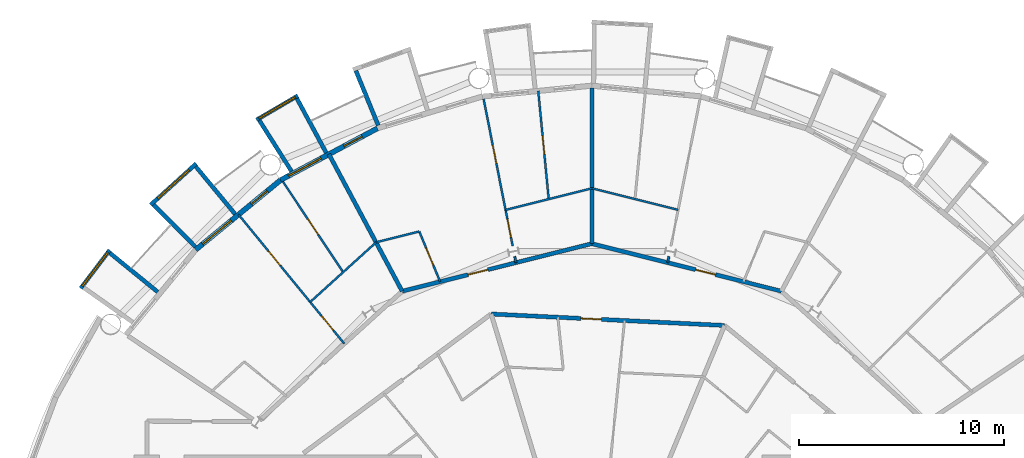
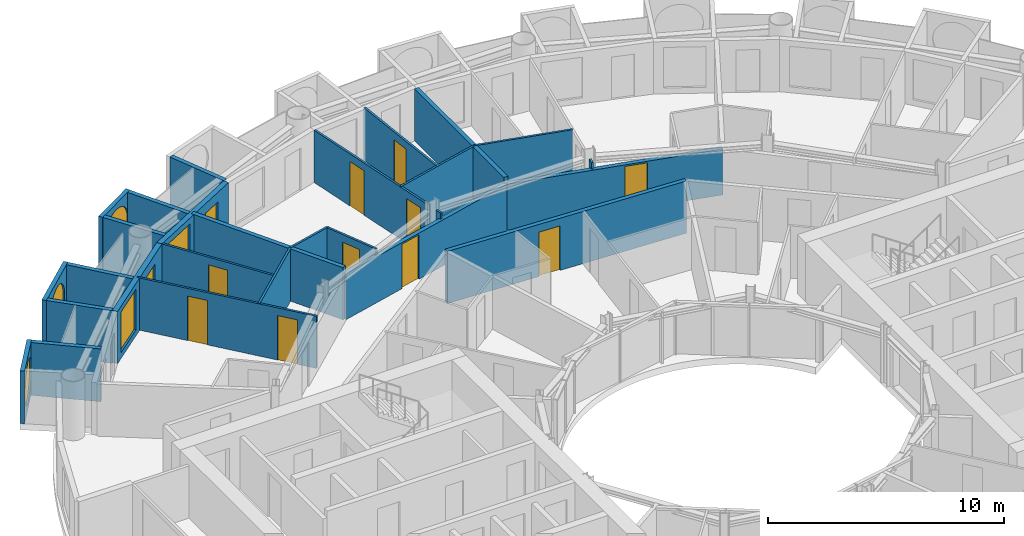
# One storey, part 19 of 26: 27 walls, 12 doors, 5 windows, 17 openings.
"""IFC4 building model written with IfcOpenShell, lengths in metres."""

from ifc_helpers import new_model, si_unit, direction, frame, frame_2d, origin, place, context, subcontext, project, spatial, rectangle, circle, extrude, material, layer, layer_set, type_object, element, fill, save


model = new_model("IFC4")

# Units and contexts
model_context = context("Model", 3, precision=1e-05, world=origin(), true_north=direction((0.0, 1.0)))
body_context = subcontext(model_context, "Body", "Model", "MODEL_VIEW")
ifc_project = project(units=[si_unit("LENGTHUNIT", "METRE"), si_unit("AREAUNIT", "SQUARE_METRE"), si_unit("VOLUMEUNIT", "CUBIC_METRE"), si_unit("PLANEANGLEUNIT", "RADIAN"), si_unit("MASSUNIT", "GRAM", prefix="KILO")], contexts=[model_context])

# Site, building, storey
site_placement = place(None, origin())
site = spatial("IfcSite", under=ifc_project, at=site_placement, CompositionType="ELEMENT")
building_placement = place(site_placement, origin())
building = spatial("IfcBuilding", under=site, at=building_placement, Name="Maasbend Ring Residences", CompositionType="ELEMENT")
storey_placement = place(building_placement, frame((0.0, 0.0, 81.89990234375)))
storey = spatial("IfcBuildingStorey", under=building, at=storey_placement, Name="L23", CompositionType="ELEMENT", Elevation=81.89990234375)

# Wall, opening, door
ifc_material_1 = material(Name="Concrete C30/37", Category="concrete")
ifc_layer_1 = layer(ifc_material_1, 0.199951171875)
ifc_layer_set_1 = layer_set([ifc_layer_1], Name="Concrete C30/37")
wall_type_1 = type_object("IfcWallType", Name="CORRIDOR WALL 200 CONCRETE", PredefinedType="PARTITIONING", material=ifc_layer_set_1)
wall_1_placement = place(storey_placement, frame((-4.903076171875, 16.172119140625, 0.0), z_axis=(0.0, 0.0, 1.0), x_axis=(0.998797695979, -0.049022061427, 0.0)))
wall_1 = element("IfcWall", 1, at=wall_1_placement, inside=storey, type_object=wall_type_1, Name="U-L23-w093", PredefinedType="PARTITIONING", context=body_context, shape_type="SweptSolid", body=[
    extrude(rectangle(XDim=11.384765625, YDim=0.199951171875, at=frame_2d((5.6923828125, 0.0))), origin(), (0.0, 0.0, 1.0), 2.7001953125),
])
opening_1_placement = place(wall_1_placement, frame((4.3759765625, 0.0, 0.0)))
opening_1 = element("IfcOpeningElement", 2, at=opening_1_placement, cuts=wall_1, Name="Opening D-2325", PredefinedType="OPENING", context=body_context, shape_type="SweptSolid", body=[
    extrude(rectangle(XDim=1.0, YDim=2.300048828125, at=frame_2d((0.5, 1.14990234375))), frame((0.0, 0.10986328125, 0.0), z_axis=(0.0, -1.0, 0.0), x_axis=(1.0, 0.0, 0.0)), (0.0, 0.0, 1.0), 0.219970703125),
])
ifc_material_2 = material(Name="Timber, fire-rated, painted", Category="wood")
door_type_1 = type_object("IfcDoorType", Name="FLAT ENTRANCE DOOR 1000 X 2300 FIRE-RATED", OperationType="NOTDEFINED", PredefinedType="DOOR", material=ifc_material_2)
door_1_placement = place(opening_1_placement, origin())
door_1 = element("IfcDoor", 3, at=door_1_placement, inside=storey, type_object=door_type_1, Name="D-2325", OperationType="SINGLE_SWING_LEFT", OverallHeight=2.300048828125, OverallWidth=1.0, PredefinedType="DOOR", context=body_context, shape_type="SweptSolid", body=[
    extrude(rectangle(XDim=1.0, YDim=2.300048828125, at=frame_2d((0.5, 1.14990234375))), frame((0.0, 0.02490234375, 0.0), z_axis=(0.0, -1.0, 0.0), x_axis=(1.0, 0.0, 0.0)), (0.0, 0.0, 1.0), 0.050048828125),
])
fill(opening_1, door_1)

wall_2_placement = place(storey_placement, frame((-9.239013671875, 17.284912109375, 0.0), z_axis=(0.0, 0.0, 1.0), x_axis=(0.970008158324, 0.243072361213, 0.0)))
wall_2 = element("IfcWall", 4, at=wall_2_placement, inside=storey, type_object=wall_type_1, Name="U-L23-w096", PredefinedType="PARTITIONING", context=body_context, shape_type="SweptSolid", body=[
    extrude(rectangle(XDim=9.524658203125, YDim=0.199951171875, at=frame_2d((4.76220703125, 0.0))), origin(), (0.0, 0.0, 1.0), 2.380126953125),
])
opening_2_placement = place(wall_2_placement, frame((3.304931640625, 0.0, 0.0)))
opening_2 = element("IfcOpeningElement", 5, at=opening_2_placement, cuts=wall_2, Name="Opening D-2311", PredefinedType="OPENING", context=body_context, shape_type="SweptSolid", body=[
    extrude(rectangle(XDim=1.0, YDim=2.300048828125, at=frame_2d((0.5, 1.14990234375))), frame((0.0, 0.10986328125, 0.0), z_axis=(0.0, -1.0, 0.0), x_axis=(1.0, 0.0, 0.0)), (0.0, 0.0, 1.0), 0.219970703125),
])
door_2_placement = place(opening_2_placement, origin())
door_2 = element("IfcDoor", 6, at=door_2_placement, inside=storey, type_object=door_type_1, Name="D-2311", OperationType="SINGLE_SWING_LEFT", OverallHeight=2.300048828125, OverallWidth=1.0, PredefinedType="DOOR", context=body_context, shape_type="SweptSolid", body=[
    extrude(rectangle(XDim=1.0, YDim=2.300048828125, at=frame_2d((0.5, 1.14990234375))), frame((0.0, 0.02490234375, 0.0), z_axis=(0.0, -1.0, 0.0), x_axis=(1.0, 0.0, 0.0)), (0.0, 0.0, 1.0), 0.050048828125),
])
fill(opening_2, door_2)

wall_3_placement = place(storey_placement, frame((0.0, 19.60009765625, 0.0), z_axis=(0.0, 0.0, 1.0), x_axis=(0.970008158324, -0.243072361213, 0.0)))
wall_3 = element("IfcWall", 7, at=wall_3_placement, inside=storey, type_object=wall_type_1, Name="U-L23-w097", PredefinedType="PARTITIONING", context=body_context, shape_type="SweptSolid", body=[
    extrude(rectangle(XDim=9.524658203125, YDim=0.199951171875, at=frame_2d((4.76220703125, 0.0))), origin(), (0.0, 0.0, 1.0), 2.380126953125),
])
opening_3_placement = place(wall_3_placement, frame((5.212890625, 0.0, 0.0)))
opening_3 = element("IfcOpeningElement", 8, at=opening_3_placement, cuts=wall_3, Name="Opening D-2306", PredefinedType="OPENING", context=body_context, shape_type="SweptSolid", body=[
    extrude(rectangle(XDim=1.0, YDim=2.300048828125, at=frame_2d((0.5, 1.14990234375))), frame((0.0, 0.10986328125, 0.0), z_axis=(0.0, -1.0, 0.0), x_axis=(1.0, 0.0, 0.0)), (0.0, 0.0, 1.0), 0.219970703125),
])
door_3_placement = place(opening_3_placement, origin())
door_3 = element("IfcDoor", 9, at=door_3_placement, inside=storey, type_object=door_type_1, Name="D-2306", OperationType="SINGLE_SWING_RIGHT", OverallHeight=2.300048828125, OverallWidth=1.0, PredefinedType="DOOR", context=body_context, shape_type="SweptSolid", body=[
    extrude(rectangle(XDim=1.0, YDim=2.300048828125, at=frame_2d((0.5, 1.14990234375))), frame((0.0, 0.02490234375, 0.0), z_axis=(0.0, -1.0, 0.0), x_axis=(1.0, 0.0, 0.0)), (0.0, 0.0, 1.0), 0.050048828125),
])
fill(opening_3, door_3)

# Wall
ifc_material_3 = material(Name="Pale anodised aluminium panel", Category="aluminium")
ifc_layer_2 = layer(ifc_material_3, 0.199951171875)
ifc_layer_set_2 = layer_set([ifc_layer_2], Name="EW-BOX")
wall_type_2 = type_object("IfcWallType", Name="EW-BOX", PredefinedType="SOLIDWALL", material=ifc_layer_set_2)
wall_4_placement = place(storey_placement, frame((-10.408935546875, 25.364013671875, -0.02978515625), z_axis=(0.0, 0.0, 1.0), x_axis=(-0.379509886562, 0.925187681501, 0.0)))
element("IfcWall", 10, at=wall_4_placement, inside=storey, type_object=wall_type_2, Name="Box side wall N14 right", PredefinedType="SOLIDWALL", context=body_context, shape_type="SweptSolid", body=[
    extrude(rectangle(XDim=2.882568359375, YDim=0.199951171875, at=frame_2d((1.44140625, 0.0))), origin(), (0.0, 0.0, 1.0), 2.72998046875),
])

# Wall, opening, window
wall_5_placement = place(storey_placement, frame((-14.326904296875, 26.81201171875, -0.02978515625), z_axis=(0.0, 0.0, 1.0), x_axis=(-0.863346521872, -0.504611517081, 0.0)))
wall_5 = element("IfcWall", 11, at=wall_5_placement, inside=storey, type_object=wall_type_2, Name="Box front N16", PredefinedType="SOLIDWALL", context=body_context, shape_type="SweptSolid", body=[
    extrude(rectangle(XDim=2.33642578125, YDim=0.199951171875, at=frame_2d((1.168212890625, 0.0))), origin(), (0.0, 0.0, 1.0), 2.72998046875),
])
opening_4_placement = place(wall_5_placement, frame((0.128173828125, 0.0, 0.330078125)))
opening_4 = element("IfcOpeningElement", 12, at=opening_4_placement, cuts=wall_5, Name="Opening W-RD", PredefinedType="OPENING", context=body_context, shape_type="SweptSolid", body=[
    extrude(circle(Radius=1.0400390625, at=frame_2d((1.0400390625, 1.0400390625))), frame((0.0, 0.10986328125, 0.0), z_axis=(0.0, -1.0, 0.0), x_axis=(1.0, 0.0, 0.0)), (0.0, 0.0, 1.0), 0.219970703125),
])
ifc_material_4 = material(Name="Aluminium and clear glass", Category="aluminium")
window_type_1 = type_object("IfcWindowType", Name="W-RD", PartitioningType="SINGLE_PANEL", PredefinedType="WINDOW", material=ifc_material_4)
window_1_placement = place(opening_4_placement, origin())
window_1 = element("IfcWindow", 13, at=window_1_placement, inside=storey, type_object=window_type_1, Name="Round window N16", OverallHeight=2.080078125, OverallWidth=2.080078125, PartitioningType="SINGLE_PANEL", PredefinedType="WINDOW", context=body_context, shape_type="SweptSolid", body=[
    extrude(circle(Radius=1.0400390625, at=frame_2d((1.0400390625, 1.0400390625))), frame((0.0, 0.030029296875, 0.0), z_axis=(0.0, -1.0, 0.0), x_axis=(1.0, 0.0, 0.0)), (0.0, 0.0, 1.0), 0.06005859375),
])
fill(opening_4, window_1)

# Walls
wall_6_placement = place(storey_placement, frame((-12.945068359375, 24.029052734375, -0.02978515625), z_axis=(0.0, 0.0, 1.0), x_axis=(-0.474424310775, 0.88029629861, 0.0)))
element("IfcWall", 14, at=wall_6_placement, inside=storey, type_object=wall_type_2, Name="Box side wall N16 left", PredefinedType="SOLIDWALL", context=body_context, shape_type="SweptSolid", body=[
    extrude(rectangle(XDim=3.005859375, YDim=0.199951171875, at=frame_2d((1.5029296875, 0.0))), origin(), (0.0, 0.0, 1.0), 2.72998046875),
])
wall_7_placement = place(storey_placement, frame((-14.635009765625, 23.1259765625, -0.02978515625), z_axis=(0.0, 0.0, 1.0), x_axis=(-0.534437802731, 0.845207805816, 0.0)))
element("IfcWall", 15, at=wall_7_placement, inside=storey, type_object=wall_type_2, Name="Box side wall N16 right", PredefinedType="SOLIDWALL", context=body_context, shape_type="SweptSolid", body=[
    extrude(rectangle(XDim=2.931884765625, YDim=0.199951171875, at=frame_2d((1.4658203125, 0.0))), origin(), (0.0, 0.0, 1.0), 2.72998046875),
])

# Wall, opening, window
wall_8_placement = place(storey_placement, frame((-19.281982421875, 23.5029296875, -0.02978515625), z_axis=(0.0, 0.0, 1.0), x_axis=(-0.740998365753, -0.671506829416, 0.0)))
wall_8 = element("IfcWall", 16, at=wall_8_placement, inside=storey, type_object=wall_type_2, Name="Box front N18", PredefinedType="SOLIDWALL", context=body_context, shape_type="SweptSolid", body=[
    extrude(rectangle(XDim=2.9931640625, YDim=0.199951171875, at=frame_2d((1.49658203125, 0.0))), origin(), (0.0, 0.0, 1.0), 2.72998046875),
])
opening_5_placement = place(wall_8_placement, frame((0.45654296875, 0.0, 0.330078125)))
opening_5 = element("IfcOpeningElement", 17, at=opening_5_placement, cuts=wall_8, Name="Opening W-RD", PredefinedType="OPENING", context=body_context, shape_type="SweptSolid", body=[
    extrude(circle(Radius=1.0400390625, at=frame_2d((1.0400390625, 1.0400390625))), frame((0.0, 0.10986328125, 0.0), z_axis=(0.0, -1.0, 0.0), x_axis=(1.0, 0.0, 0.0)), (0.0, 0.0, 1.0), 0.219970703125),
])
window_2_placement = place(opening_5_placement, origin())
window_2 = element("IfcWindow", 18, at=window_2_placement, inside=storey, type_object=window_type_1, Name="Round window N18", OverallHeight=2.080078125, OverallWidth=2.080078125, PartitioningType="SINGLE_PANEL", PredefinedType="WINDOW", context=body_context, shape_type="SweptSolid", body=[
    extrude(circle(Radius=1.0400390625, at=frame_2d((1.0400390625, 1.0400390625))), frame((0.0, 0.030029296875, 0.0), z_axis=(0.0, -1.0, 0.0), x_axis=(1.0, 0.0, 0.0)), (0.0, 0.0, 1.0), 0.06005859375),
])
fill(opening_5, window_2)

# Walls
wall_9_placement = place(storey_placement, frame((-17.384033203125, 21.041015625, -0.02978515625), z_axis=(0.0, 0.0, 1.0), x_axis=(-0.63709551667, 0.770784861449, 0.0)))
element("IfcWall", 19, at=wall_9_placement, inside=storey, type_object=wall_type_2, Name="Box side wall N18 left", PredefinedType="SOLIDWALL", context=body_context, shape_type="SweptSolid", body=[
    extrude(rectangle(XDim=3.005859375, YDim=0.199951171875, at=frame_2d((1.5029296875, 0.0))), origin(), (0.0, 0.0, 1.0), 2.72998046875),
])
wall_10_placement = place(storey_placement, frame((-19.322998046875, 19.449951171875, -0.02978515625), z_axis=(0.0, 0.0, 1.0), x_axis=(-0.704476739375, 0.709727076896, 0.0)))
element("IfcWall", 20, at=wall_10_placement, inside=storey, type_object=wall_type_2, Name="Box side wall N18 right", PredefinedType="SOLIDWALL", context=body_context, shape_type="SweptSolid", body=[
    extrude(rectangle(XDim=2.883056640625, YDim=0.199951171875, at=frame_2d((1.44140625, 0.0))), origin(), (0.0, 0.0, 1.0), 2.72998046875),
])

# Wall, opening, window
wall_11_placement = place(storey_placement, frame((-23.4970703125, 19.2890625, -0.02978515625), z_axis=(0.0, 0.0, 1.0), x_axis=(-0.60418752353, -0.796842165306, 0.0)))
wall_11 = element("IfcWall", 21, at=wall_11_placement, inside=storey, type_object=wall_type_2, Name="Box front N20", PredefinedType="SOLIDWALL", context=body_context, shape_type="SweptSolid", body=[
    extrude(rectangle(XDim=2.3369140625, YDim=0.199951171875, at=frame_2d((1.16845703125, 0.0))), origin(), (0.0, 0.0, 1.0), 2.72998046875),
])
opening_6_placement = place(wall_11_placement, frame((0.128173828125, 0.0, 0.330078125)))
opening_6 = element("IfcOpeningElement", 22, at=opening_6_placement, cuts=wall_11, Name="Opening W-RD", PredefinedType="OPENING", context=body_context, shape_type="SweptSolid", body=[
    extrude(circle(Radius=1.0400390625, at=frame_2d((1.0400390625, 1.0400390625))), frame((0.0, 0.10986328125, 0.0), z_axis=(0.0, -1.0, 0.0), x_axis=(1.0, 0.0, 0.0)), (0.0, 0.0, 1.0), 0.219970703125),
])
window_3_placement = place(opening_6_placement, origin())
window_3 = element("IfcWindow", 23, at=window_3_placement, inside=storey, type_object=window_type_1, Name="Round window N20", OverallHeight=2.080078125, OverallWidth=2.080078125, PartitioningType="SINGLE_PANEL", PredefinedType="WINDOW", context=body_context, shape_type="SweptSolid", body=[
    extrude(circle(Radius=1.0400390625, at=frame_2d((1.0400390625, 1.0400390625))), frame((0.0, 0.030029296875, 0.0), z_axis=(0.0, -1.0, 0.0), x_axis=(1.0, 0.0, 0.0)), (0.0, 0.0, 1.0), 0.06005859375),
])
fill(opening_6, window_3)

# Wall
wall_12_placement = place(storey_placement, frame((-21.155029296875, 17.24609375, -0.02978515625), z_axis=(0.0, 0.0, 1.0), x_axis=(-0.775179004516, 0.631741648902, 0.0)))
element("IfcWall", 24, at=wall_12_placement, inside=storey, type_object=wall_type_2, Name="Box side wall N20 left", PredefinedType="SOLIDWALL", context=body_context, shape_type="SweptSolid", body=[
    extrude(rectangle(XDim=3.005859375, YDim=0.199951171875, at=frame_2d((1.5029296875, 0.0))), origin(), (0.0, 0.0, 1.0), 2.72998046875),
])

# Wall, openings, door, window
ifc_material_5 = material(Name="Aluminium clad insulated panel", Category="aluminium")
ifc_layer_3 = layer(ifc_material_5, 0.25)
ifc_layer_set_3 = layer_set([ifc_layer_3], Name="EW-GL")
wall_type_3 = type_object("IfcWallType", Name="EW-GL", PredefinedType="SOLIDWALL", material=ifc_layer_set_3)
wall_13_placement = place(storey_placement, frame((-10.447021484375, 25.221923828125, 0.0), z_axis=(0.0, 0.0, 1.0), x_axis=(-0.881915646801, -0.471407246368, 0.0)))
wall_13 = element("IfcWall", 25, at=wall_13_placement, inside=storey, type_object=wall_type_3, Name="External wall N08", PredefinedType="SOLIDWALL", context=body_context, shape_type="SweptSolid", body=[
    extrude(rectangle(XDim=5.35205078125, YDim=0.25, at=frame_2d((2.676025390625, 0.0))), origin(), (0.0, 0.0, 1.0), 2.7001953125),
])
opening_7_placement = place(wall_13_placement, frame((0.841064453125, 0.0, 0.0)))
opening_7 = element("IfcOpeningElement", 26, at=opening_7_placement, cuts=wall_13, Name="Opening D-LG", PredefinedType="OPENING", context=body_context, shape_type="SweptSolid", body=[
    extrude(rectangle(XDim=1.0, YDim=2.199951171875, at=frame_2d((0.5, 1.10009765625))), frame((0.0, 0.135009765625, 0.0), z_axis=(0.0, -1.0, 0.0), x_axis=(1.0, 0.0, 0.0)), (0.0, 0.0, 1.0), 0.27001953125),
])
opening_8_placement = place(wall_13_placement, frame((3.110595703125, 0.0, 0.300048828125)))
opening_8 = element("IfcOpeningElement", 27, at=opening_8_placement, cuts=wall_13, Name="Opening W-BX", PredefinedType="OPENING", context=body_context, shape_type="SweptSolid", body=[
    extrude(rectangle(XDim=1.800048828125, YDim=2.10009765625, at=frame_2d((0.89990234375, 1.050048828125))), frame((0.0, 0.135009765625, 0.0), z_axis=(0.0, -1.0, 0.0), x_axis=(1.0, 0.0, 0.0)), (0.0, 0.0, 1.0), 0.27001953125),
])
ifc_material_6 = material(Name="Aluminium and clear glass", Category="aluminium")
door_type_2 = type_object("IfcDoorType", Name="D-LG", OperationType="SINGLE_SWING_LEFT", PredefinedType="DOOR", material=ifc_material_6)
door_4_placement = place(opening_7_placement, origin())
door_4 = element("IfcDoor", 28, at=door_4_placement, inside=storey, type_object=door_type_2, Name="Loggia door N15", OperationType="SINGLE_SWING_LEFT", OverallHeight=2.199951171875, OverallWidth=1.0, PredefinedType="DOOR", context=body_context, shape_type="SweptSolid", body=[
    extrude(rectangle(XDim=1.0, YDim=2.199951171875, at=frame_2d((0.5, 1.10009765625))), frame((0.0, 0.02490234375, 0.0), z_axis=(0.0, -1.0, 0.0), x_axis=(1.0, 0.0, 0.0)), (0.0, 0.0, 1.0), 0.050048828125),
])
fill(opening_7, door_4)
ifc_material_7 = material(Name="Aluminium and clear glass", Category="aluminium")
window_type_2 = type_object("IfcWindowType", Name="W-BX", PartitioningType="DOUBLE_PANEL_VERTICAL", PredefinedType="WINDOW", material=ifc_material_7)
window_4_placement = place(opening_8_placement, origin())
window_4 = element("IfcWindow", 29, at=window_4_placement, inside=storey, type_object=window_type_2, Name="Window N16 room to box", OverallHeight=2.10009765625, OverallWidth=1.800048828125, PartitioningType="SINGLE_PANEL", PredefinedType="WINDOW", context=body_context, shape_type="SweptSolid", body=[
    extrude(rectangle(XDim=1.800048828125, YDim=2.10009765625, at=frame_2d((0.89990234375, 1.050048828125))), frame((0.0, 0.030029296875, 0.0), z_axis=(0.0, -1.0, 0.0), x_axis=(1.0, 0.0, 0.0)), (0.0, 0.0, 1.0), 0.06005859375),
])
fill(opening_8, window_4)

wall_14_placement = place(storey_placement, frame((-15.1669921875, 22.698974609375, 0.0), z_axis=(0.0, 0.0, 1.0), x_axis=(-0.773019449054, -0.634382322723, 0.0)))
wall_14 = element("IfcWall", 30, at=wall_14_placement, inside=storey, type_object=wall_type_3, Name="External wall N09", PredefinedType="SOLIDWALL", context=body_context, shape_type="SweptSolid", body=[
    extrude(rectangle(XDim=5.351806640625, YDim=0.25, at=frame_2d((2.67578125, 0.0))), origin(), (0.0, 0.0, 1.0), 2.7001953125),
])
opening_9_placement = place(wall_14_placement, frame((0.841064453125, 0.0, 0.0)))
opening_9 = element("IfcOpeningElement", 31, at=opening_9_placement, cuts=wall_14, Name="Opening D-LG", PredefinedType="OPENING", context=body_context, shape_type="SweptSolid", body=[
    extrude(rectangle(XDim=1.0, YDim=2.199951171875, at=frame_2d((0.5, 1.10009765625))), frame((0.0, 0.135009765625, 0.0), z_axis=(0.0, -1.0, 0.0), x_axis=(1.0, 0.0, 0.0)), (0.0, 0.0, 1.0), 0.27001953125),
])
opening_10_placement = place(wall_14_placement, frame((3.110595703125, 0.0, 0.300048828125)))
opening_10 = element("IfcOpeningElement", 32, at=opening_10_placement, cuts=wall_14, Name="Opening W-BX", PredefinedType="OPENING", context=body_context, shape_type="SweptSolid", body=[
    extrude(rectangle(XDim=1.800048828125, YDim=2.10009765625, at=frame_2d((0.89990234375, 1.050048828125))), frame((0.0, 0.135009765625, 0.0), z_axis=(0.0, -1.0, 0.0), x_axis=(1.0, 0.0, 0.0)), (0.0, 0.0, 1.0), 0.27001953125),
])
door_5_placement = place(opening_9_placement, origin())
door_5 = element("IfcDoor", 33, at=door_5_placement, inside=storey, type_object=door_type_2, Name="Loggia door N17", OperationType="SINGLE_SWING_LEFT", OverallHeight=2.199951171875, OverallWidth=1.0, PredefinedType="DOOR", context=body_context, shape_type="SweptSolid", body=[
    extrude(rectangle(XDim=1.0, YDim=2.199951171875, at=frame_2d((0.5, 1.10009765625))), frame((0.0, 0.02490234375, 0.0), z_axis=(0.0, -1.0, 0.0), x_axis=(1.0, 0.0, 0.0)), (0.0, 0.0, 1.0), 0.050048828125),
])
fill(opening_9, door_5)
window_5_placement = place(opening_10_placement, origin())
window_5 = element("IfcWindow", 34, at=window_5_placement, inside=storey, type_object=window_type_2, Name="Window N18 room to box", OverallHeight=2.10009765625, OverallWidth=1.800048828125, PartitioningType="SINGLE_PANEL", PredefinedType="WINDOW", context=body_context, shape_type="SweptSolid", body=[
    extrude(rectangle(XDim=1.800048828125, YDim=2.10009765625, at=frame_2d((0.89990234375, 1.050048828125))), frame((0.0, 0.030029296875, 0.0), z_axis=(0.0, -1.0, 0.0), x_axis=(1.0, 0.0, 0.0)), (0.0, 0.0, 1.0), 0.06005859375),
])
fill(opening_10, window_5)

# Wall, openings, doors
ifc_material_8 = material(Name="Gypsum board on steel studs", Category="steel")
ifc_layer_4 = layer(ifc_material_8, 0.10009765625)
ifc_layer_set_4 = layer_set([ifc_layer_4], Name="PARTITION 100 GYPSUM")
wall_type_4 = type_object("IfcWallType", Name="PARTITION 100 GYPSUM", PredefinedType="PARTITIONING", material=ifc_layer_set_4)
wall_15_placement = place(storey_placement, frame((-17.220947265625, 21.02197265625, 0.0), z_axis=(0.0, 0.0, 1.0), x_axis=(0.633735868108, -0.773549513266, 0.0)))
wall_15 = element("IfcWall", 35, at=wall_15_placement, inside=storey, type_object=wall_type_4, Name="U-L23-w030", PredefinedType="PARTITIONING", context=body_context, shape_type="SweptSolid", body=[
    extrude(rectangle(XDim=8.138916015625, YDim=0.10009765625, at=frame_2d((4.0693359375, 0.0))), origin(), (0.0, 0.0, 1.0), 2.7001953125),
])
opening_11_placement = place(wall_15_placement, frame((6.3779296875, 0.0, 0.0)))
opening_11 = element("IfcOpeningElement", 36, at=opening_11_placement, cuts=wall_15, Name="Opening D-2318", PredefinedType="OPENING", context=body_context, shape_type="SweptSolid", body=[
    extrude(rectangle(XDim=0.89990234375, YDim=2.300048828125, at=frame_2d((0.449951171875, 1.14990234375))), frame((0.0, 0.06005859375, 0.0), z_axis=(0.0, -1.0, 0.0), x_axis=(1.0, 0.0, 0.0)), (0.0, 0.0, 1.0), 0.1201171875),
])
opening_12_placement = place(wall_15_placement, frame((2.30810546875, 0.0, 0.0)))
opening_12 = element("IfcOpeningElement", 37, at=opening_12_placement, cuts=wall_15, Name="Opening D-2319", PredefinedType="OPENING", context=body_context, shape_type="SweptSolid", body=[
    extrude(rectangle(XDim=0.89990234375, YDim=2.300048828125, at=frame_2d((0.449951171875, 1.14990234375))), frame((0.0, 0.06005859375, 0.0), z_axis=(0.0, -1.0, 0.0), x_axis=(1.0, 0.0, 0.0)), (0.0, 0.0, 1.0), 0.1201171875),
])
ifc_material_9 = material(Name="Timber, painted", Category="wood")
door_type_3 = type_object("IfcDoorType", Name="INTERNAL DOOR 900 X 2300", OperationType="NOTDEFINED", PredefinedType="DOOR", material=ifc_material_9)
door_6_placement = place(opening_11_placement, origin())
door_6 = element("IfcDoor", 38, at=door_6_placement, inside=storey, type_object=door_type_3, Name="D-2318", OperationType="SINGLE_SWING_RIGHT", OverallHeight=2.300048828125, OverallWidth=0.89990234375, PredefinedType="DOOR", context=body_context, shape_type="SweptSolid", body=[
    extrude(rectangle(XDim=0.89990234375, YDim=2.300048828125, at=frame_2d((0.449951171875, 1.14990234375))), frame((0.0, 0.02490234375, 0.0), z_axis=(0.0, -1.0, 0.0), x_axis=(1.0, 0.0, 0.0)), (0.0, 0.0, 1.0), 0.050048828125),
])
fill(opening_11, door_6)
door_7_placement = place(opening_12_placement, origin())
door_7 = element("IfcDoor", 39, at=door_7_placement, inside=storey, type_object=door_type_3, Name="D-2319", OperationType="SINGLE_SWING_LEFT", OverallHeight=2.300048828125, OverallWidth=0.89990234375, PredefinedType="DOOR", context=body_context, shape_type="SweptSolid", body=[
    extrude(rectangle(XDim=0.89990234375, YDim=2.300048828125, at=frame_2d((0.449951171875, 1.14990234375))), frame((0.0, 0.02490234375, 0.0), z_axis=(0.0, -1.0, 0.0), x_axis=(1.0, 0.0, 0.0)), (0.0, 0.0, 1.0), 0.050048828125),
])
fill(opening_12, door_7)

# Wall, opening, door
wall_16_placement = place(storey_placement, frame((-15.053955078125, 22.6240234375, 0.0), z_axis=(0.0, 0.0, 1.0), x_axis=(0.553913391217, -0.832574294, 0.0)))
wall_16 = element("IfcWall", 40, at=wall_16_placement, inside=storey, type_object=wall_type_4, Name="U-L23-w034", PredefinedType="PARTITIONING", context=body_context, shape_type="SweptSolid", body=[
    extrude(rectangle(XDim=5.300537109375, YDim=0.10009765625, at=frame_2d((2.650390625, 0.0))), origin(), (0.0, 0.0, 1.0), 2.7001953125),
])
opening_13_placement = place(wall_16_placement, frame((2.199951171875, 0.0, 0.0)))
opening_13 = element("IfcOpeningElement", 41, at=opening_13_placement, cuts=wall_16, Name="Opening D-2320", PredefinedType="OPENING", context=body_context, shape_type="SweptSolid", body=[
    extrude(rectangle(XDim=0.89990234375, YDim=2.300048828125, at=frame_2d((0.449951171875, 1.14990234375))), frame((0.0, 0.06005859375, 0.0), z_axis=(0.0, -1.0, 0.0), x_axis=(1.0, 0.0, 0.0)), (0.0, 0.0, 1.0), 0.1201171875),
])
door_8_placement = place(opening_13_placement, origin())
door_8 = element("IfcDoor", 42, at=door_8_placement, inside=storey, type_object=door_type_3, Name="D-2320", OperationType="SINGLE_SWING_LEFT", OverallHeight=2.300048828125, OverallWidth=0.89990234375, PredefinedType="DOOR", context=body_context, shape_type="SweptSolid", body=[
    extrude(rectangle(XDim=0.89990234375, YDim=2.300048828125, at=frame_2d((0.449951171875, 1.14990234375))), frame((0.0, 0.02490234375, 0.0), z_axis=(0.0, -1.0, 0.0), x_axis=(1.0, 0.0, 0.0)), (0.0, 0.0, 1.0), 0.050048828125),
])
fill(opening_13, door_8)

wall_17_placement = place(storey_placement, frame((-8.409912109375, 20.193115234375, 0.0), z_axis=(0.0, 0.0, 1.0), x_axis=(0.384438589316, -0.923150567917, 0.0)))
wall_17 = element("IfcWall", 43, at=wall_17_placement, inside=storey, type_object=wall_type_4, Name="U-L23-w041", PredefinedType="PARTITIONING", context=body_context, shape_type="SweptSolid", body=[
    extrude(rectangle(XDim=2.6474609375, YDim=0.10009765625, at=frame_2d((1.32373046875, 0.0))), origin(), (0.0, 0.0, 1.0), 2.7001953125),
])
opening_14_placement = place(wall_17_placement, frame((0.8740234375, 0.0, 0.0)))
opening_14 = element("IfcOpeningElement", 44, at=opening_14_placement, cuts=wall_17, Name="Opening D-2312", PredefinedType="OPENING", context=body_context, shape_type="SweptSolid", body=[
    extrude(rectangle(XDim=0.89990234375, YDim=2.300048828125, at=frame_2d((0.449951171875, 1.14990234375))), frame((0.0, 0.06005859375, 0.0), z_axis=(0.0, -1.0, 0.0), x_axis=(1.0, 0.0, 0.0)), (0.0, 0.0, 1.0), 0.1201171875),
])
door_9_placement = place(opening_14_placement, origin())
door_9 = element("IfcDoor", 45, at=door_9_placement, inside=storey, type_object=door_type_3, Name="D-2312", OperationType="SINGLE_SWING_RIGHT", OverallHeight=2.300048828125, OverallWidth=0.89990234375, PredefinedType="DOOR", context=body_context, shape_type="SweptSolid", body=[
    extrude(rectangle(XDim=0.89990234375, YDim=2.300048828125, at=frame_2d((0.449951171875, 1.14990234375))), frame((0.0, 0.02490234375, 0.0), z_axis=(0.0, -1.0, 0.0), x_axis=(1.0, 0.0, 0.0)), (0.0, 0.0, 1.0), 0.050048828125),
])
fill(opening_14, door_9)

# Wall, openings, doors
wall_18_placement = place(storey_placement, frame((-5.27490234375, 26.657958984375, 0.0), z_axis=(0.0, 0.0, 1.0), x_axis=(0.194029176446, -0.980995758751, 0.0)))
wall_18 = element("IfcWall", 46, at=wall_18_placement, inside=storey, type_object=wall_type_4, Name="U-L23-w045", PredefinedType="PARTITIONING", context=body_context, shape_type="SweptSolid", body=[
    extrude(rectangle(XDim=7.31298828125, YDim=0.10009765625, at=frame_2d((3.656494140625, 0.0))), origin(), (0.0, 0.0, 1.0), 2.7001953125),
])
opening_15_placement = place(wall_18_placement, frame((5.966064453125, 0.0, 0.0)))
opening_15 = element("IfcOpeningElement", 47, at=opening_15_placement, cuts=wall_18, Name="Opening D-2313", PredefinedType="OPENING", context=body_context, shape_type="SweptSolid", body=[
    extrude(rectangle(XDim=0.89990234375, YDim=2.300048828125, at=frame_2d((0.449951171875, 1.14990234375))), frame((0.0, 0.06005859375, 0.0), z_axis=(0.0, -1.0, 0.0), x_axis=(1.0, 0.0, 0.0)), (0.0, 0.0, 1.0), 0.1201171875),
])
opening_16_placement = place(wall_18_placement, frame((2.306884765625, 0.0, 0.0)))
opening_16 = element("IfcOpeningElement", 48, at=opening_16_placement, cuts=wall_18, Name="Opening D-2314", PredefinedType="OPENING", context=body_context, shape_type="SweptSolid", body=[
    extrude(rectangle(XDim=0.89990234375, YDim=2.300048828125, at=frame_2d((0.449951171875, 1.14990234375))), frame((0.0, 0.06005859375, 0.0), z_axis=(0.0, -1.0, 0.0), x_axis=(1.0, 0.0, 0.0)), (0.0, 0.0, 1.0), 0.1201171875),
])
door_10_placement = place(opening_15_placement, origin())
door_10 = element("IfcDoor", 49, at=door_10_placement, inside=storey, type_object=door_type_3, Name="D-2313", OperationType="SINGLE_SWING_RIGHT", OverallHeight=2.300048828125, OverallWidth=0.89990234375, PredefinedType="DOOR", context=body_context, shape_type="SweptSolid", body=[
    extrude(rectangle(XDim=0.89990234375, YDim=2.300048828125, at=frame_2d((0.449951171875, 1.14990234375))), frame((0.0, 0.02490234375, 0.0), z_axis=(0.0, -1.0, 0.0), x_axis=(1.0, 0.0, 0.0)), (0.0, 0.0, 1.0), 0.050048828125),
])
fill(opening_15, door_10)
door_11_placement = place(opening_16_placement, origin())
door_11 = element("IfcDoor", 50, at=door_11_placement, inside=storey, type_object=door_type_3, Name="D-2314", OperationType="SINGLE_SWING_LEFT", OverallHeight=2.300048828125, OverallWidth=0.89990234375, PredefinedType="DOOR", context=body_context, shape_type="SweptSolid", body=[
    extrude(rectangle(XDim=0.89990234375, YDim=2.300048828125, at=frame_2d((0.449951171875, 1.14990234375))), frame((0.0, 0.02490234375, 0.0), z_axis=(0.0, -1.0, 0.0), x_axis=(1.0, 0.0, 0.0)), (0.0, 0.0, 1.0), 0.050048828125),
])
fill(opening_16, door_11)

# Wall
wall_19_placement = place(storey_placement, frame((-3.7548828125, 18.969970703125, 0.0), z_axis=(0.0, 0.0, 1.0), x_axis=(0.19502665362, -0.980797942686, 0.0)))
element("IfcWall", 51, at=wall_19_placement, inside=storey, type_object=wall_type_4, Name="U-L23-w048", PredefinedType="PARTITIONING", context=body_context, shape_type="SweptSolid", body=[
    extrude(rectangle(XDim=0.3017578125, YDim=0.10009765625, at=frame_2d((0.15087890625, 0.0))), origin(), (0.0, 0.0, 1.0), 2.7001953125),
])

# Wall, opening, door
wall_20_placement = place(storey_placement, frame((-2.612060546875, 27.049072265625, 0.0), z_axis=(0.0, 0.0, 1.0), x_axis=(0.096215269366, -0.995360548716, 0.0)))
wall_20 = element("IfcWall", 52, at=wall_20_placement, inside=storey, type_object=wall_type_4, Name="U-L23-w049", PredefinedType="PARTITIONING", context=body_context, shape_type="SweptSolid", body=[
    extrude(rectangle(XDim=5.30078125, YDim=0.10009765625, at=frame_2d((2.650390625, 0.0))), origin(), (0.0, 0.0, 1.0), 2.7001953125),
])
opening_17_placement = place(wall_20_placement, frame((2.199951171875, 0.0, 0.0)))
opening_17 = element("IfcOpeningElement", 53, at=opening_17_placement, cuts=wall_20, Name="Opening D-2315", PredefinedType="OPENING", context=body_context, shape_type="SweptSolid", body=[
    extrude(rectangle(XDim=0.89990234375, YDim=2.300048828125, at=frame_2d((0.449951171875, 1.14990234375))), frame((0.0, 0.06005859375, 0.0), z_axis=(0.0, -1.0, 0.0), x_axis=(1.0, 0.0, 0.0)), (0.0, 0.0, 1.0), 0.1201171875),
])
door_12_placement = place(opening_17_placement, origin())
door_12 = element("IfcDoor", 54, at=door_12_placement, inside=storey, type_object=door_type_3, Name="D-2315", OperationType="SINGLE_SWING_LEFT", OverallHeight=2.300048828125, OverallWidth=0.89990234375, PredefinedType="DOOR", context=body_context, shape_type="SweptSolid", body=[
    extrude(rectangle(XDim=0.89990234375, YDim=2.300048828125, at=frame_2d((0.449951171875, 1.14990234375))), frame((0.0, 0.02490234375, 0.0), z_axis=(0.0, -1.0, 0.0), x_axis=(1.0, 0.0, 0.0)), (0.0, 0.0, 1.0), 0.050048828125),
])
fill(opening_17, door_12)

# Walls
wall_21_placement = place(storey_placement, frame((3.696044921875, 18.674072265625, 0.0), z_axis=(0.0, 0.0, 1.0), x_axis=(0.19502665362, 0.980797942686, 0.0)))
element("IfcWall", 55, at=wall_21_placement, inside=storey, type_object=wall_type_4, Name="U-L23-w061", PredefinedType="PARTITIONING", context=body_context, shape_type="SweptSolid", body=[
    extrude(rectangle(XDim=0.3017578125, YDim=0.10009765625, at=frame_2d((0.15087890625, 0.0))), origin(), (0.0, 0.0, 1.0), 2.7001953125),
])
wall_22_placement = place(storey_placement, frame((-13.72705078125, 16.75390625, 0.0), z_axis=(0.0, 0.0, 1.0), x_axis=(0.741134692738, 0.671356363804, 0.0)))
element("IfcWall", 56, at=wall_22_placement, inside=storey, type_object=wall_type_4, Name="U-L23-w100", PredefinedType="PARTITIONING", context=body_context, shape_type="SweptSolid", body=[
    extrude(rectangle(XDim=4.342041015625, YDim=0.10009765625, at=frame_2d((2.1708984375, 0.0))), origin(), (0.0, 0.0, 1.0), 2.7001953125),
])
wall_23_placement = place(storey_placement, frame((-10.511962890625, 19.6669921875, 0.0), z_axis=(0.0, 0.0, 1.0), x_axis=(0.970076188308, 0.242800718444, 0.0)))
element("IfcWall", 57, at=wall_23_placement, inside=storey, type_object=wall_type_4, Name="U-L23-w101", PredefinedType="PARTITIONING", context=body_context, shape_type="SweptSolid", body=[
    extrude(rectangle(XDim=2.1669921875, YDim=0.10009765625, at=frame_2d((1.08349609375, 0.0))), origin(), (0.0, 0.0, 1.0), 2.7001953125),
])
for number, where, z_axis, x_axis, name in (
    (58, (-4.20703125, 21.2451171875, 0.0), (0.0, 0.0, 1.0), (0.970106148391, 0.24268098577, 0.0), "U-L23-w102"),
    (59, (-0.010009765625, 22.300048828125, 0.0), (0.0, 0.0, 1.0), (0.970106148391, -0.24268098577, 0.0), "U-L23-w103"),
):
    element("IfcWall", number, at=place(storey_placement, frame(where, z_axis=z_axis, x_axis=x_axis)), inside=storey, type_object=wall_type_4, Name=name, PredefinedType="PARTITIONING", context=body_context, shape_type="SweptSolid", body=[
        extrude(rectangle(XDim=4.346923828125, YDim=0.10009765625, at=frame_2d((2.17333984375, 0.0))), origin(), (0.0, 0.0, 1.0), 2.7001953125),
    ])
ifc_material_10 = material(Name="Concrete C30/37", Category="concrete")
ifc_layer_5 = layer(ifc_material_10, 0.199951171875)
ifc_layer_set_5 = layer_set([ifc_layer_5], Name="Concrete C30/37")
wall_type_5 = type_object("IfcWallType", Name="PARTY WALL 200 CONCRETE", PredefinedType="PARTITIONING", material=ifc_layer_set_5)
wall_24_placement = place(storey_placement, frame((-12.81494140625, 23.962890625, 0.0), z_axis=(0.0, 0.0, 1.0), x_axis=(0.471506520577, -0.881862574925, 0.0)))
element("IfcWall", 60, at=wall_24_placement, inside=storey, type_object=wall_type_5, Name="U-L23-w036", PredefinedType="PARTITIONING", context=body_context, shape_type="SweptSolid", body=[
    extrude(rectangle(XDim=7.57373046875, YDim=0.199951171875, at=frame_2d((3.786865234375, 0.0))), origin(), (0.0, 0.0, 1.0), 2.7001953125),
])
wall_25_placement = place(storey_placement, frame((0.0, 19.60009765625, 0.0), z_axis=(0.0, 0.0, 1.0), x_axis=(0.0, 1.0, 0.0)))
element("IfcWall", 61, at=wall_25_placement, inside=storey, type_object=wall_type_5, Name="U-L23-w054", PredefinedType="PARTITIONING", context=body_context, shape_type="SweptSolid", body=[
    extrude(rectangle(XDim=7.574951171875, YDim=0.199951171875, at=frame_2d((3.78759765625, 0.0))), origin(), (0.0, 0.0, 1.0), 2.7001953125),
])

save(model, "model.ifc")
